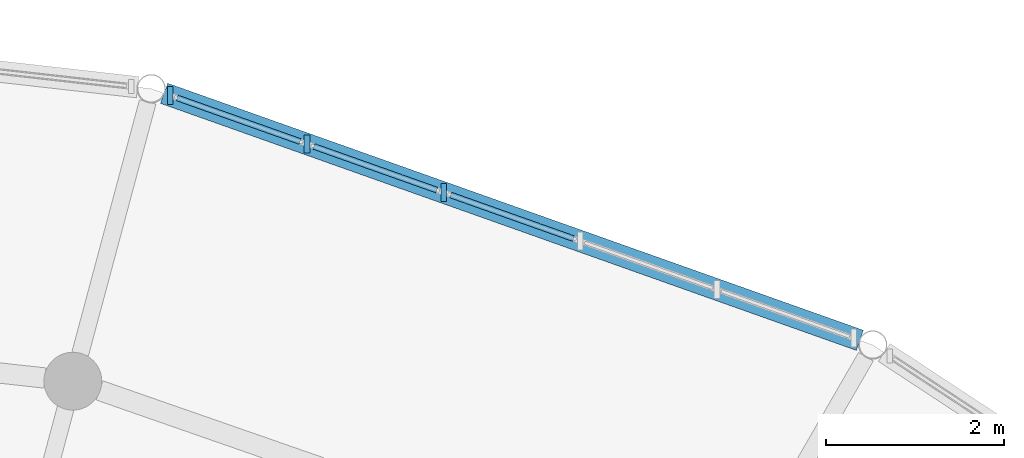
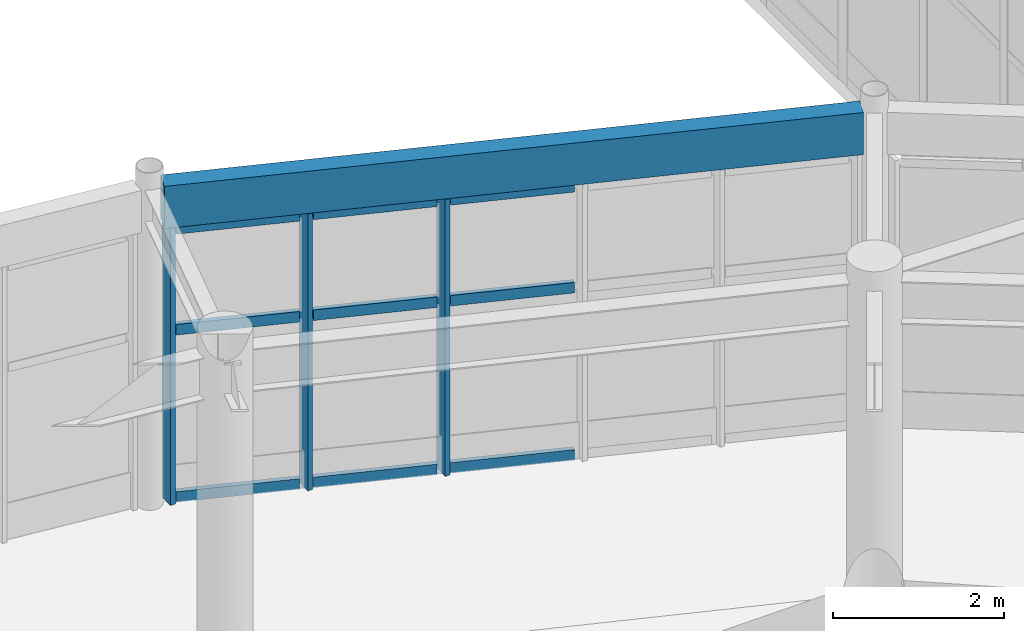
# One storey, part 61 of 144: 12 members, 1 beam, 1 element without a shape of its own.
"""IFC4 building model written with IfcOpenShell, lengths in metres."""

from ifc_helpers import new_model, si_unit, direction, frame, origin, origin_2d, place, context, subcontext, project, spatial, rectangle, extrude, material, material_profile, profile_set, type_object, element, aggregate, save


model = new_model("IFC4")

# Units and contexts
model_context = context("Model", 3, precision=1e-05, world=origin(), true_north=direction((0.0, 1.0)))
body_context = subcontext(model_context, "Body", "Model", "MODEL_VIEW")
ifc_project = project(units=[si_unit("LENGTHUNIT", "METRE"), si_unit("AREAUNIT", "SQUARE_METRE"), si_unit("VOLUMEUNIT", "CUBIC_METRE"), si_unit("PLANEANGLEUNIT", "RADIAN"), si_unit("MASSUNIT", "GRAM", prefix="KILO")], contexts=[model_context])

# Site, building, storey
site_placement = place(None, origin())
site = spatial("IfcSite", under=ifc_project, at=site_placement, CompositionType="ELEMENT")
building_placement = place(site_placement, origin())
building = spatial("IfcBuilding", under=site, at=building_placement, Name="Cinderbank Siding Concert Hall", CompositionType="ELEMENT")
storey_placement = place(building_placement, frame((0.0, 0.0, 5.39990234375)))
storey = spatial("IfcBuildingStorey", under=building, at=storey_placement, Name="L02", CompositionType="ELEMENT", Elevation=5.39990234375)

# Curtain wall, members
ifc_material_1 = material(Name="Anodised aluminium alloy 6063-T6", Category="aluminium")
curtain_wall_type = type_object("IfcCurtainWallType", Name="CW-05 Unitised Acoustic Curtain Wall 8200x3800", PredefinedType="NOTDEFINED", material=ifc_material_1)
curtain_wall_placement = place(storey_placement, origin())
curtain_wall = element("IfcCurtainWall", 1, at=curtain_wall_placement, inside=storey, type_object=curtain_wall_type, Name="L02 Curtain Wall CW-05 #5", PredefinedType="NOTDEFINED")
ifc_material_profile_1 = material_profile(ifc_material_1, rectangle(XDim=0.06494140625, YDim=0.199951171875, at=origin_2d()), Name="ALU-MULL-65x200", Category="LoadBearing")
ifc_profile_set_1 = profile_set([ifc_material_profile_1], Name="Anodised aluminium alloy 6063-T6")
member_type_1 = type_object("IfcMemberType", Name="CW-ML2 Mullion 65x200", PredefinedType="MULLION", material=ifc_profile_set_1)
member_1_placement = place(storey_placement, frame((133.980712890625, 70.652587890625, 0.0), z_axis=(0.0, 0.0, 1.0), x_axis=(1.0, 0.0, 0.0)))
member_1 = element("IfcMember", 2, at=member_1_placement, type_object=member_type_1, Name="CW-L02-005 Mullion 3", PredefinedType="MULLION", context=body_context, shape_type="SweptSolid", body=[
    extrude(rectangle(XDim=0.06494140625, YDim=0.199951171875, at=origin_2d()), origin(), (0.0, 0.0, 1.0), 3.93701171875),
])
member_2_placement = place(storey_placement, frame((132.4453125, 71.19775390625, 0.0), z_axis=(0.0, 0.0, 1.0), x_axis=(1.0, 0.0, 0.0)))
member_2 = element("IfcMember", 3, at=member_2_placement, type_object=member_type_1, Name="CW-L02-005 Mullion 4", PredefinedType="MULLION", context=body_context, shape_type="SweptSolid", body=[
    extrude(rectangle(XDim=0.06494140625, YDim=0.199951171875, at=origin_2d()), origin(), (0.0, 0.0, 1.0), 3.93701171875),
])
member_3_placement = place(storey_placement, frame((130.91015625, 71.742919921875, 0.0), z_axis=(0.0, 0.0, 1.0), x_axis=(1.0, 0.0, 0.0)))
member_3 = element("IfcMember", 4, at=member_3_placement, type_object=member_type_1, Name="CW-L02-005 Mullion 5", PredefinedType="MULLION", context=body_context, shape_type="SweptSolid", body=[
    extrude(rectangle(XDim=0.06494140625, YDim=0.199951171875, at=origin_2d()), origin(), (0.0, 0.0, 1.0), 3.93701171875),
])
ifc_material_profile_2 = material_profile(ifc_material_1, rectangle(XDim=0.06494140625, YDim=0.14990234375, at=origin_2d()), Name="ALU-TRAN-65x150", Category="LoadBearing")
ifc_profile_set_2 = profile_set([ifc_material_profile_2], Name="Anodised aluminium alloy 6063-T6")
member_type_2 = type_object("IfcMemberType", Name="CW-TR2 Transom 65x150", PredefinedType="USERDEFINED", material=ifc_profile_set_2)
member_4_placement = place(storey_placement, frame((135.43896484375, 70.134765625, 0.06005859375), z_axis=(-0.942324434865, 0.334700850694, 0.0), x_axis=(-0.334700850694, -0.942324434865, 0.0)))
member_4 = element("IfcMember", 5, at=member_4_placement, type_object=member_type_2, Name="CW-L02-005 Transom 2-0", ObjectType="TRANSOM", PredefinedType="USERDEFINED", context=body_context, shape_type="SweptSolid", body=[
    extrude(rectangle(XDim=0.06494140625, YDim=0.14990234375, at=origin_2d()), origin(), (0.0, 0.0, 1.0), 1.466064453125),
])
member_5_placement = place(storey_placement, frame((135.43896484375, 70.134765625, 2.44091796875), z_axis=(-0.942324434865, 0.334700850694, 0.0), x_axis=(-0.334700850694, -0.942324434865, 0.0)))
member_5 = element("IfcMember", 6, at=member_5_placement, type_object=member_type_2, Name="CW-L02-005 Transom 2-1", ObjectType="TRANSOM", PredefinedType="USERDEFINED", context=body_context, shape_type="SweptSolid", body=[
    extrude(rectangle(XDim=0.06494140625, YDim=0.14990234375, at=origin_2d()), origin(), (0.0, 0.0, 1.0), 1.466064453125),
])
member_6_placement = place(storey_placement, frame((135.43896484375, 70.134765625, 3.877197265625), z_axis=(-0.942324434865, 0.334700850694, 0.0), x_axis=(-0.334700850694, -0.942324434865, 0.0)))
member_6 = element("IfcMember", 7, at=member_6_placement, type_object=member_type_2, Name="CW-L02-005 Transom 2-2", ObjectType="TRANSOM", PredefinedType="USERDEFINED", context=body_context, shape_type="SweptSolid", body=[
    extrude(rectangle(XDim=0.06494140625, YDim=0.14990234375, at=origin_2d()), origin(), (0.0, 0.0, 1.0), 1.466064453125),
])
member_7_placement = place(storey_placement, frame((133.90380859375, 70.679931640625, 0.06005859375), z_axis=(-0.942376945381, 0.334552974602, 0.0), x_axis=(-0.334552974602, -0.942376945381, 0.0)))
member_7 = element("IfcMember", 8, at=member_7_placement, type_object=member_type_2, Name="CW-L02-005 Transom 3-0", ObjectType="TRANSOM", PredefinedType="USERDEFINED", context=body_context, shape_type="SweptSolid", body=[
    extrude(rectangle(XDim=0.06494140625, YDim=0.14990234375, at=origin_2d()), origin(), (0.0, 0.0, 1.0), 1.466064453125),
])
member_8_placement = place(storey_placement, frame((133.90380859375, 70.679931640625, 2.44091796875), z_axis=(-0.942376945381, 0.334552974602, 0.0), x_axis=(-0.334552974602, -0.942376945381, 0.0)))
member_8 = element("IfcMember", 9, at=member_8_placement, type_object=member_type_2, Name="CW-L02-005 Transom 3-1", ObjectType="TRANSOM", PredefinedType="USERDEFINED", context=body_context, shape_type="SweptSolid", body=[
    extrude(rectangle(XDim=0.06494140625, YDim=0.14990234375, at=origin_2d()), origin(), (0.0, 0.0, 1.0), 1.466064453125),
])
member_9_placement = place(storey_placement, frame((133.90380859375, 70.679931640625, 3.877197265625), z_axis=(-0.942376945381, 0.334552974602, 0.0), x_axis=(-0.334552974602, -0.942376945381, 0.0)))
member_9 = element("IfcMember", 10, at=member_9_placement, type_object=member_type_2, Name="CW-L02-005 Transom 3-2", ObjectType="TRANSOM", PredefinedType="USERDEFINED", context=body_context, shape_type="SweptSolid", body=[
    extrude(rectangle(XDim=0.06494140625, YDim=0.14990234375, at=origin_2d()), origin(), (0.0, 0.0, 1.0), 1.466064453125),
])
member_10_placement = place(storey_placement, frame((132.36865234375, 71.22509765625, 0.06005859375), z_axis=(-0.942395579657, 0.334500480482, 0.0), x_axis=(-0.334500480482, -0.942395579657, 0.0)))
member_10 = element("IfcMember", 11, at=member_10_placement, type_object=member_type_2, Name="CW-L02-005 Transom 4-0", ObjectType="TRANSOM", PredefinedType="USERDEFINED", context=body_context, shape_type="SweptSolid", body=[
    extrude(rectangle(XDim=0.06494140625, YDim=0.14990234375, at=origin_2d()), origin(), (0.0, 0.0, 1.0), 1.46630859375),
])
member_11_placement = place(storey_placement, frame((132.36865234375, 71.22509765625, 2.44091796875), z_axis=(-0.942395579657, 0.334500480482, 0.0), x_axis=(-0.334500480482, -0.942395579657, 0.0)))
member_11 = element("IfcMember", 12, at=member_11_placement, type_object=member_type_2, Name="CW-L02-005 Transom 4-1", ObjectType="TRANSOM", PredefinedType="USERDEFINED", context=body_context, shape_type="SweptSolid", body=[
    extrude(rectangle(XDim=0.06494140625, YDim=0.14990234375, at=origin_2d()), origin(), (0.0, 0.0, 1.0), 1.46630859375),
])
member_12_placement = place(storey_placement, frame((132.36865234375, 71.22509765625, 3.877197265625), z_axis=(-0.942395579657, 0.334500480482, 0.0), x_axis=(-0.334500480482, -0.942395579657, 0.0)))
member_12 = element("IfcMember", 13, at=member_12_placement, type_object=member_type_2, Name="CW-L02-005 Transom 4-2", ObjectType="TRANSOM", PredefinedType="USERDEFINED", context=body_context, shape_type="SweptSolid", body=[
    extrude(rectangle(XDim=0.06494140625, YDim=0.14990234375, at=origin_2d()), origin(), (0.0, 0.0, 1.0), 1.46630859375),
])
aggregate(curtain_wall, [member_1, member_2, member_3, member_4, member_5, member_6, member_7, member_8, member_9, member_10, member_11, member_12])

# Beam
ifc_material_2 = material(Name="Spotted gum glulam timber GL18 (42 MPa)", Category="wood")
ifc_material_profile_3 = material_profile(ifc_material_2, rectangle(XDim=0.239990234375, YDim=0.60009765625, at=origin_2d()), Name="GL18-240x600", Category="LoadBearing")
ifc_profile_set_3 = profile_set([ifc_material_profile_3], Name="Spotted gum glulam timber GL18 (42 MPa)")
beam_type = type_object("IfcBeamType", Name="SP-GL600 GL18-240x600", PredefinedType="SPANDREL", material=ifc_profile_set_3)
beam_placement = place(storey_placement, frame((138.65478515625, 68.992919921875, 4.26220703125), z_axis=(-0.942365164676, 0.334586156924, 0.0), x_axis=(-0.334586156924, -0.942365164676, 0.0)))
element("IfcBeam", 14, at=beam_placement, inside=storey, type_object=beam_type, Name="L02 Beam SP-GL600 #468", PredefinedType="SPANDREL", context=body_context, shape_type="SweptSolid", body=[
    extrude(rectangle(XDim=0.239990234375, YDim=0.60009765625, at=origin_2d()), origin(), (0.0, 0.0, 1.0), 8.291259765625),
])

save(model, "model.ifc")
